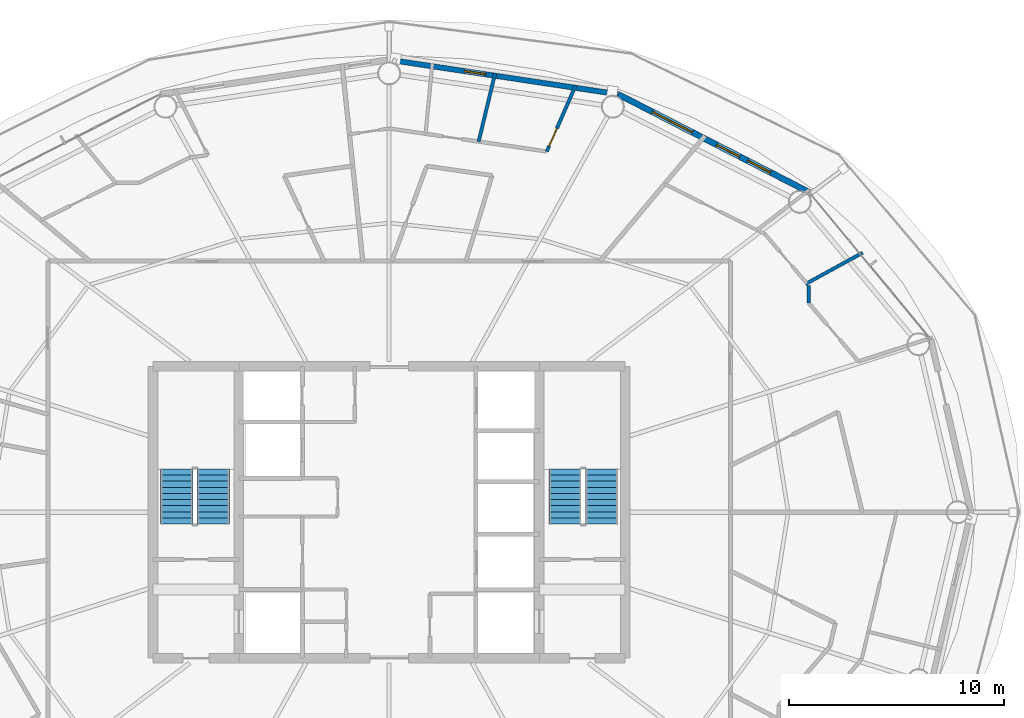
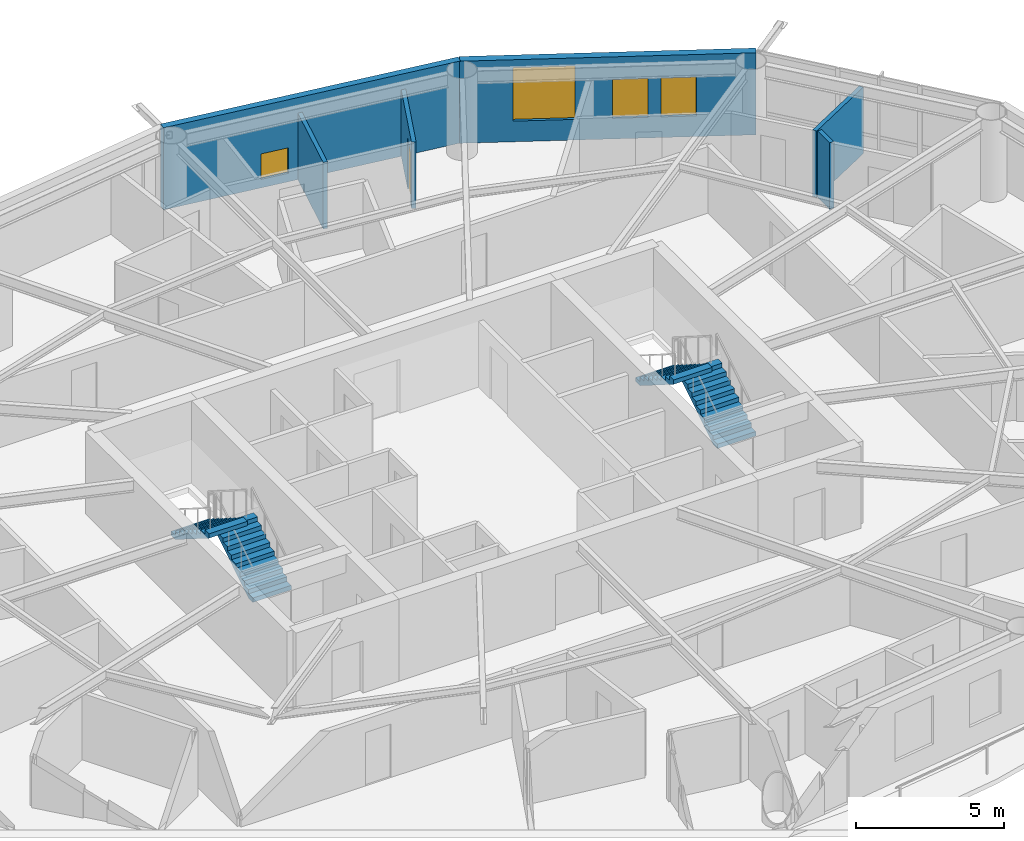
# One storey, part 26 of 29: 6 walls, 4 stair flights, 4 windows, 1 door, 5 openings, 2 elements without a shape of their own.
"""IFC4 building model written with IfcOpenShell, lengths in metres."""

from ifc_helpers import new_model, si_unit, direction, frame, frame_2d, origin, place, context, subcontext, project, spatial, polyline, rectangle, outline, extrude, material, layer, layer_set, type_object, element, fill, aggregate, save


model = new_model("IFC4")

# Units and contexts
model_context = context("Model", 3, precision=1e-05, world=origin(), true_north=direction((0.0, 1.0)))
body_context = subcontext(model_context, "Body", "Model", "MODEL_VIEW")
ifc_project = project(units=[si_unit("LENGTHUNIT", "METRE"), si_unit("AREAUNIT", "SQUARE_METRE"), si_unit("VOLUMEUNIT", "CUBIC_METRE"), si_unit("PLANEANGLEUNIT", "RADIAN"), si_unit("MASSUNIT", "GRAM", prefix="KILO")], contexts=[model_context])

# Site, building, storey
site_placement = place(None, origin())
site = spatial("IfcSite", under=ifc_project, at=site_placement, CompositionType="ELEMENT")
building_placement = place(site_placement, origin())
building = spatial("IfcBuilding", under=site, at=building_placement, Name="Sarneth Arch Tower", CompositionType="ELEMENT")
storey_placement = place(building_placement, frame((0.0, 0.0, 175.800048828125)))
storey = spatial("IfcBuildingStorey", under=building, at=storey_placement, Name="L44", CompositionType="ELEMENT", Elevation=175.800048828125)

# Wall, opening, window
ifc_material_1 = material(Name="Extruded terracotta rainscreen on Concrete C40/50 backing", Category="masonry")
ifc_layer_1 = layer(ifc_material_1, 0.25)
ifc_layer_set_1 = layer_set([ifc_layer_1], Name="Extruded terracotta rainscreen on Concrete C40/50 backing")
wall_type_1 = type_object("IfcWallType", Name="WALL-EXT-SPAND-250", PredefinedType="SOLIDWALL", material=ifc_layer_set_1)
wall_1_placement = place(storey_placement, frame((58.662841796875, 61.475341796875, 0.0), z_axis=(0.0, 0.0, 1.0), x_axis=(-0.988863993413, 0.148822049884, 0.0)))
wall_1 = element("IfcWall", 1, at=wall_1_placement, inside=storey, type_object=wall_type_1, Name="L44 Terracotta perimeter wall 04", PredefinedType="SOLIDWALL", context=body_context, shape_type="SweptSolid", body=[
    extrude(rectangle(XDim=10.782958984375, YDim=0.25, at=frame_2d((5.3916015625, 0.0))), origin(), (0.0, 0.0, 1.0), 3.3798828125),
])
opening_1_placement = place(wall_1_placement, frame((6.2421875, 0.0, 0.35009765625)))
opening_1 = element("IfcOpeningElement", 2, at=opening_1_placement, cuts=wall_1, Name="Opening W-14", PredefinedType="OPENING", context=body_context, shape_type="SweptSolid", body=[
    extrude(rectangle(XDim=1.0, YDim=1.050048828125, at=frame_2d((0.5, 0.52490234375))), frame((0.0, 0.135009765625, 0.0), z_axis=(0.0, -1.0, 0.0), x_axis=(1.0, 0.0, 0.0)), (0.0, 0.0, 1.0), 0.27001953125),
])
ifc_material_2 = material(Name="Thermally broken Aluminium 6063-T6 and low-e laminated IGU", Category="aluminium")
window_type_1 = type_object("IfcWindowType", Name="WIN-TWR-1000x1050", PartitioningType="SINGLE_PANEL", PredefinedType="WINDOW", material=ifc_material_2)
window_1_placement = place(opening_1_placement, origin())
window_1 = element("IfcWindow", 3, at=window_1_placement, inside=storey, type_object=window_type_1, Name="L44 Dwelling bedroom window 01", OverallHeight=1.050048828125, OverallWidth=1.0, PartitioningType="SINGLE_PANEL", PredefinedType="WINDOW", context=body_context, shape_type="SweptSolid", body=[
    extrude(rectangle(XDim=1.0, YDim=1.050048828125, at=frame_2d((0.5, 0.52490234375))), frame((0.0, 0.030029296875, 0.0), z_axis=(0.0, -1.0, 0.0), x_axis=(1.0, 0.0, 0.0)), (0.0, 0.0, 1.0), 0.06005859375),
])
fill(opening_1, window_1)

# Wall, openings, windows
ifc_material_3 = material(Name="Extruded terracotta rainscreen on Concrete C40/50 backing", Category="masonry")
ifc_layer_2 = layer(ifc_material_3, 0.280029296875)
ifc_layer_set_2 = layer_set([ifc_layer_2], Name="Extruded terracotta rainscreen on Concrete C40/50 backing")
wall_type_2 = type_object("IfcWallType", Name="WALL-EXT-TERRA-280", PredefinedType="SOLIDWALL", material=ifc_layer_set_2)
wall_2_placement = place(storey_placement, frame((67.576171875, 56.90576171875, 0.0), z_axis=(0.0, 0.0, 1.0), x_axis=(-0.889872523182, 0.456209263919, 0.0)))
wall_2 = element("IfcWall", 4, at=wall_2_placement, inside=storey, type_object=wall_type_2, Name="L44 Terracotta perimeter wall 03", PredefinedType="SOLIDWALL", context=body_context, shape_type="SweptSolid", body=[
    extrude(rectangle(XDim=10.016357421875, YDim=0.280029296875, at=frame_2d((5.00830078125, 0.0))), origin(), (0.0, 0.0, 1.0), 3.3798828125),
])
opening_2_placement = place(wall_2_placement, frame((2.019287109375, 0.0, 0.85009765625)))
opening_2 = element("IfcOpeningElement", 5, at=opening_2_placement, cuts=wall_2, Name="Opening W-10", PredefinedType="OPENING", context=body_context, shape_type="SweptSolid", body=[
    extrude(rectangle(XDim=1.199951171875, YDim=1.60009765625, at=frame_2d((0.60009765625, 0.800048828125))), frame((0.0, 0.14990234375, 0.0), z_axis=(0.0, -1.0, 0.0), x_axis=(1.0, 0.0, 0.0)), (0.0, 0.0, 1.0), 0.300048828125),
])
opening_3_placement = place(wall_2_placement, frame((3.6484375, 0.0, 0.85009765625)))
opening_3 = element("IfcOpeningElement", 6, at=opening_3_placement, cuts=wall_2, Name="Opening W-10", PredefinedType="OPENING", context=body_context, shape_type="SweptSolid", body=[
    extrude(rectangle(XDim=1.199951171875, YDim=1.60009765625, at=frame_2d((0.60009765625, 0.800048828125))), frame((0.0, 0.14990234375, 0.0), z_axis=(0.0, -1.0, 0.0), x_axis=(1.0, 0.0, 0.0)), (0.0, 0.0, 1.0), 0.300048828125),
])
opening_4_placement = place(wall_2_placement, frame((6.121337890625, 0.0, 0.85009765625)))
opening_4 = element("IfcOpeningElement", 7, at=opening_4_placement, cuts=wall_2, Name="Opening W-03", PredefinedType="OPENING", context=body_context, shape_type="SweptSolid", body=[
    extrude(rectangle(XDim=2.10009765625, YDim=2.199951171875, at=frame_2d((1.050048828125, 1.10009765625))), frame((0.0, 0.14990234375, 0.0), z_axis=(0.0, -1.0, 0.0), x_axis=(1.0, 0.0, 0.0)), (0.0, 0.0, 1.0), 0.300048828125),
])
ifc_material_4 = material(Name="Thermally broken Aluminium 6063-T6 and low-e laminated IGU", Category="aluminium")
window_type_2 = type_object("IfcWindowType", Name="WIN-TWR-1200x1600", PartitioningType="SINGLE_PANEL", PredefinedType="WINDOW", material=ifc_material_4)
window_2_placement = place(opening_2_placement, origin())
window_2 = element("IfcWindow", 8, at=window_2_placement, inside=storey, type_object=window_type_2, Name="L44 Exterior window 03A", OverallHeight=1.60009765625, OverallWidth=1.199951171875, PartitioningType="SINGLE_PANEL", PredefinedType="WINDOW", context=body_context, shape_type="SweptSolid", body=[
    extrude(rectangle(XDim=1.199951171875, YDim=1.60009765625, at=frame_2d((0.60009765625, 0.800048828125))), frame((0.0, 0.030029296875, 0.0), z_axis=(0.0, -1.0, 0.0), x_axis=(1.0, 0.0, 0.0)), (0.0, 0.0, 1.0), 0.06005859375),
])
fill(opening_2, window_2)
window_3_placement = place(opening_3_placement, origin())
window_3 = element("IfcWindow", 9, at=window_3_placement, inside=storey, type_object=window_type_2, Name="L44 Exterior window 03B", OverallHeight=1.60009765625, OverallWidth=1.199951171875, PartitioningType="SINGLE_PANEL", PredefinedType="WINDOW", context=body_context, shape_type="SweptSolid", body=[
    extrude(rectangle(XDim=1.199951171875, YDim=1.60009765625, at=frame_2d((0.60009765625, 0.800048828125))), frame((0.0, 0.030029296875, 0.0), z_axis=(0.0, -1.0, 0.0), x_axis=(1.0, 0.0, 0.0)), (0.0, 0.0, 1.0), 0.06005859375),
])
fill(opening_3, window_3)
ifc_material_5 = material(Name="Thermally broken Aluminium 6063-T6 and low-e laminated IGU", Category="aluminium")
window_type_3 = type_object("IfcWindowType", Name="WIN-TWR-2100x2200", PartitioningType="DOUBLE_PANEL_VERTICAL", PredefinedType="WINDOW", material=ifc_material_5)
window_4_placement = place(opening_4_placement, origin())
window_4 = element("IfcWindow", 10, at=window_4_placement, inside=storey, type_object=window_type_3, Name="L44 Exterior window 03C", OverallHeight=2.199951171875, OverallWidth=2.10009765625, PartitioningType="SINGLE_PANEL", PredefinedType="WINDOW", context=body_context, shape_type="SweptSolid", body=[
    extrude(rectangle(XDim=2.10009765625, YDim=2.199951171875, at=frame_2d((1.050048828125, 1.10009765625))), frame((0.0, 0.030029296875, 0.0), z_axis=(0.0, -1.0, 0.0), x_axis=(1.0, 0.0, 0.0)), (0.0, 0.0, 1.0), 0.06005859375),
])
fill(opening_4, window_4)

# Wall, opening, door
ifc_material_6 = material(Name="Kitchen wet service chase wall", Category="gypsum")
ifc_layer_3 = layer(ifc_material_6, 0.159912109375)
ifc_layer_set_3 = layer_set([ifc_layer_3], Name="Kitchen wet service chase wall")
wall_type_3 = type_object("IfcWallType", Name="WALL-PLUMB-160", PredefinedType="PLUMBINGWALL", material=ifc_layer_set_3)
wall_3_placement = place(storey_placement, frame((56.692138671875, 61.88916015625, 0.0), z_axis=(0.0, 0.0, 1.0), x_axis=(-0.400476274623, -0.916307128349, 0.0)))
wall_3 = element("IfcWall", 11, at=wall_3_placement, inside=storey, type_object=wall_type_3, Name="L44 Interior partition W-L44-TP-037", PredefinedType="PLUMBINGWALL", context=body_context, shape_type="SweptSolid", body=[
    extrude(rectangle(XDim=3.365234375, YDim=0.159912109375, at=frame_2d((1.6826171875, 0.0))), origin(), (0.0, 0.0, 1.0), 2.739990234375),
])
opening_5_placement = place(wall_3_placement, frame((2.1923828125, 0.0, 0.0)))
opening_5 = element("IfcOpeningElement", 12, at=opening_5_placement, cuts=wall_3, Name="Opening ID-01", PredefinedType="OPENING", context=body_context, shape_type="SweptSolid", body=[
    extrude(rectangle(XDim=0.89990234375, YDim=2.10009765625, at=frame_2d((0.449951171875, 1.050048828125))), frame((0.0, 0.08984375, 0.0), z_axis=(0.0, -1.0, 0.0), x_axis=(1.0, 0.0, 0.0)), (0.0, 0.0, 1.0), 0.179931640625),
])
ifc_material_7 = material(Name="Engineered hardwood flush door", Category="wood")
door_type = type_object("IfcDoorType", Name="DR-INT-900", OperationType="SINGLE_SWING_LEFT", PredefinedType="DOOR", material=ifc_material_7)
door_placement = place(opening_5_placement, origin())
door = element("IfcDoor", 13, at=door_placement, inside=storey, type_object=door_type, Name="L44 Interior door DR-L44-U2-KIT", OperationType="SINGLE_SWING_LEFT", OverallHeight=2.10009765625, OverallWidth=0.89990234375, PredefinedType="DOOR", context=body_context, shape_type="SweptSolid", body=[
    extrude(rectangle(XDim=0.89990234375, YDim=2.10009765625, at=frame_2d((0.449951171875, 1.050048828125))), frame((0.0, 0.02490234375, 0.0), z_axis=(0.0, -1.0, 0.0), x_axis=(1.0, 0.0, 0.0)), (0.0, 0.0, 1.0), 0.050048828125),
])
fill(opening_5, door)

# Walls
wall_4_placement = place(storey_placement, frame((52.939697265625, 62.45751953125, 0.0), z_axis=(0.0, 0.0, 1.0), x_axis=(-0.23474970119, -0.972055851169, 0.0)))
element("IfcWall", 14, at=wall_4_placement, inside=storey, type_object=wall_type_3, Name="L44 Interior partition W-L44-TP-047", PredefinedType="PLUMBINGWALL", context=body_context, shape_type="SweptSolid", body=[
    extrude(rectangle(XDim=3.279052734375, YDim=0.159912109375, at=frame_2d((1.6396484375, 0.0))), origin(), (0.0, 0.0, 1.0), 2.739990234375),
])
wall_5_placement = place(storey_placement, frame((67.395751953125, 52.629150390625, 0.0), z_axis=(0.0, 0.0, 1.0), x_axis=(0.876959960956, 0.4805634473, 0.0)))
element("IfcWall", 15, at=wall_5_placement, inside=storey, type_object=wall_type_3, Name="L44 Interior partition W-L44-TP-033", PredefinedType="PLUMBINGWALL", context=body_context, shape_type="SweptSolid", body=[
    extrude(rectangle(XDim=3.037109375, YDim=0.159912109375, at=frame_2d((1.5185546875, 0.0))), origin(), (0.0, 0.0, 1.0), 2.739990234375),
])
wall_6_placement = place(storey_placement, frame((67.550048828125, 51.744384765625, 0.0), z_axis=(0.0, 0.0, 1.0), x_axis=(0.0, 1.0, 0.0)))
element("IfcWall", 16, at=wall_6_placement, inside=storey, type_object=wall_type_3, Name="L44 Interior partition W-L44-TP-023", PredefinedType="PLUMBINGWALL", context=body_context, shape_type="SweptSolid", body=[
    extrude(rectangle(XDim=0.812255859375, YDim=0.159912109375, at=frame_2d((0.40625, 0.0))), origin(), (0.0, 0.0, 1.0), 2.739990234375),
])

# Stair, stair flights
ifc_material_8 = material(Name="Concrete C50/60", Category="concrete")
stair_type = type_object("IfcStairType", Name="STAIR-CORE-RC", PredefinedType="HALF_TURN_STAIR", material=ifc_material_8)
stair_1_placement = place(storey_placement, origin())
stair_1 = element("IfcStair", 17, at=stair_1_placement, inside=storey, type_object=stair_type, Name="L44 Core Exit Stair 1", PredefinedType="HALF_TURN_STAIR")
ifc_material_9 = material(Name="Concrete C50/60", Category="concrete")
stair_flight_type = type_object("IfcStairFlightType", Name="FLIGHT-RC-1500", PredefinedType="STRAIGHT", material=ifc_material_9)
stair_flight_1_placement = place(storey_placement, frame((39.800048828125, 41.449951171875, 0.0), z_axis=(0.0, 0.0, 1.0), x_axis=(0.0, 1.0, 0.0)))
stair_flight_1 = element("IfcStairFlight", 18, at=stair_flight_1_placement, type_object=stair_flight_type, Name="ST-1 flight 1", NumberOfRisers=10, NumberOfTreads=9, PredefinedType="STRAIGHT", RiserHeight=0.18, TreadLength=0.285, context=body_context, shape_type="SweptSolid", body=[
    extrude(outline(polyline([(0.0, 0.0), (0.0, 0.179931640625), (0.284912109375, 0.179931640625), (0.284912109375, 0.360107421875), (0.570068359375, 0.360107421875), (0.570068359375, 0.5400390625), (0.85498046875, 0.5400390625), (0.85498046875, 0.719970703125), (1.139892578125, 0.719970703125), (1.139892578125, 0.89990234375), (1.425048828125, 0.89990234375), (1.425048828125, 1.080078125), (1.7099609375, 1.080078125), (1.7099609375, 1.260009765625), (1.9951171875, 1.260009765625), (1.9951171875, 1.43994140625), (2.280029296875, 1.43994140625), (2.280029296875, 1.6201171875), (2.56494140625, 1.6201171875), (2.56494140625, 1.800048828125), (2.56494140625, 1.442626953125), (0.28076171875, 0.0), (0.0, 0.0)])), frame((0.0, 0.75, 0.0), z_axis=(0.0, -1.0, 0.0), x_axis=(1.0, 0.0, 0.0)), (0.0, 0.0, 1.0), 1.5),
])
stair_flight_2_placement = place(storey_placement, frame((38.10009765625, 44.014892578125, 1.800048828125), z_axis=(0.0, 0.0, 1.0), x_axis=(0.0, -1.0, 0.0)))
stair_flight_2 = element("IfcStairFlight", 19, at=stair_flight_2_placement, type_object=stair_flight_type, Name="ST-1 flight 2", NumberOfRisers=10, NumberOfTreads=9, PredefinedType="STRAIGHT", RiserHeight=0.18, TreadLength=0.285, context=body_context, shape_type="SweptSolid", body=[
    extrude(outline(polyline([(0.0, 0.0), (0.0, 0.179931640625), (0.284912109375, 0.179931640625), (0.284912109375, 0.360107421875), (0.570068359375, 0.360107421875), (0.570068359375, 0.5400390625), (0.85498046875, 0.5400390625), (0.85498046875, 0.719970703125), (1.139892578125, 0.719970703125), (1.139892578125, 0.89990234375), (1.425048828125, 0.89990234375), (1.425048828125, 1.080078125), (1.7099609375, 1.080078125), (1.7099609375, 1.260009765625), (1.9951171875, 1.260009765625), (1.9951171875, 1.43994140625), (2.280029296875, 1.43994140625), (2.280029296875, 1.6201171875), (2.56494140625, 1.6201171875), (2.56494140625, 1.800048828125), (2.56494140625, 1.442626953125), (0.28076171875, 0.0), (0.0, 0.0)])), frame((0.0, 0.75, 0.0), z_axis=(0.0, -1.0, 0.0), x_axis=(1.0, 0.0, 0.0)), (0.0, 0.0, 1.0), 1.5),
])
aggregate(stair_1, [stair_flight_1, stair_flight_2])

stair_2_placement = place(storey_placement, origin())
stair_2 = element("IfcStair", 20, at=stair_2_placement, inside=storey, type_object=stair_type, Name="L44 Core Exit Stair 2", PredefinedType="HALF_TURN_STAIR")
stair_flight_3_placement = place(storey_placement, frame((57.89990234375, 41.449951171875, 0.0), z_axis=(0.0, 0.0, 1.0), x_axis=(0.0, 1.0, 0.0)))
stair_flight_3 = element("IfcStairFlight", 21, at=stair_flight_3_placement, type_object=stair_flight_type, Name="ST-2 flight 1", NumberOfRisers=10, NumberOfTreads=9, PredefinedType="STRAIGHT", RiserHeight=0.18, TreadLength=0.285, context=body_context, shape_type="SweptSolid", body=[
    extrude(outline(polyline([(0.0, 0.0), (0.0, 0.179931640625), (0.284912109375, 0.179931640625), (0.284912109375, 0.360107421875), (0.570068359375, 0.360107421875), (0.570068359375, 0.5400390625), (0.85498046875, 0.5400390625), (0.85498046875, 0.719970703125), (1.139892578125, 0.719970703125), (1.139892578125, 0.89990234375), (1.425048828125, 0.89990234375), (1.425048828125, 1.080078125), (1.7099609375, 1.080078125), (1.7099609375, 1.260009765625), (1.9951171875, 1.260009765625), (1.9951171875, 1.43994140625), (2.280029296875, 1.43994140625), (2.280029296875, 1.6201171875), (2.56494140625, 1.6201171875), (2.56494140625, 1.800048828125), (2.56494140625, 1.442626953125), (0.28076171875, 0.0), (0.0, 0.0)])), frame((0.0, 0.75, 0.0), z_axis=(0.0, -1.0, 0.0), x_axis=(1.0, 0.0, 0.0)), (0.0, 0.0, 1.0), 1.5),
])
stair_flight_4_placement = place(storey_placement, frame((56.199951171875, 44.014892578125, 1.800048828125), z_axis=(0.0, 0.0, 1.0), x_axis=(0.0, -1.0, 0.0)))
stair_flight_4 = element("IfcStairFlight", 22, at=stair_flight_4_placement, type_object=stair_flight_type, Name="ST-2 flight 2", NumberOfRisers=10, NumberOfTreads=9, PredefinedType="STRAIGHT", RiserHeight=0.18, TreadLength=0.285, context=body_context, shape_type="SweptSolid", body=[
    extrude(outline(polyline([(0.0, 0.0), (0.0, 0.179931640625), (0.284912109375, 0.179931640625), (0.284912109375, 0.360107421875), (0.570068359375, 0.360107421875), (0.570068359375, 0.5400390625), (0.85498046875, 0.5400390625), (0.85498046875, 0.719970703125), (1.139892578125, 0.719970703125), (1.139892578125, 0.89990234375), (1.425048828125, 0.89990234375), (1.425048828125, 1.080078125), (1.7099609375, 1.080078125), (1.7099609375, 1.260009765625), (1.9951171875, 1.260009765625), (1.9951171875, 1.43994140625), (2.280029296875, 1.43994140625), (2.280029296875, 1.6201171875), (2.56494140625, 1.6201171875), (2.56494140625, 1.800048828125), (2.56494140625, 1.442626953125), (0.28076171875, 0.0), (0.0, 0.0)])), frame((0.0, 0.75, 0.0), z_axis=(0.0, -1.0, 0.0), x_axis=(1.0, 0.0, 0.0)), (0.0, 0.0, 1.0), 1.5),
])
aggregate(stair_2, [stair_flight_3, stair_flight_4])

save(model, "model.ifc")
